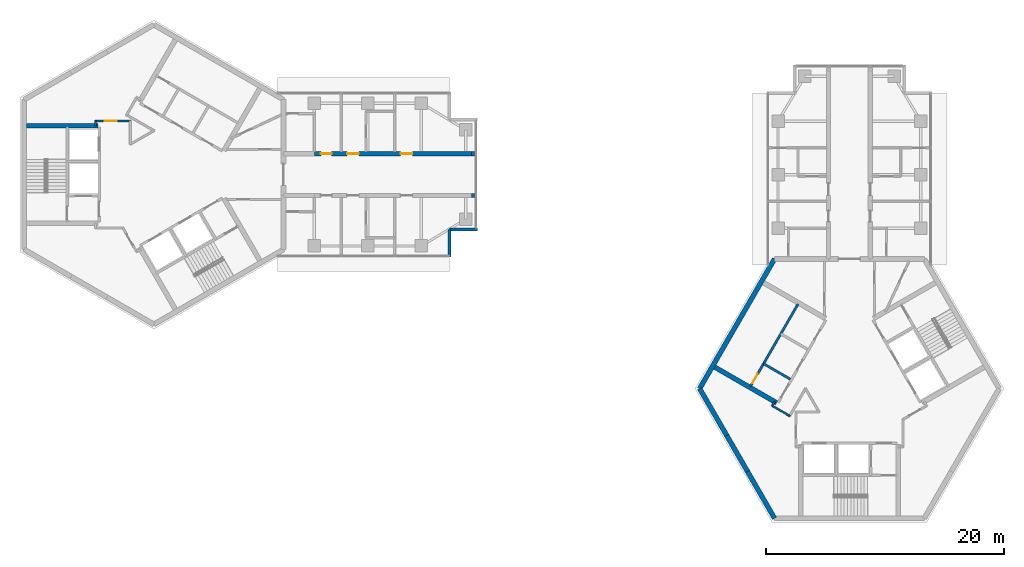
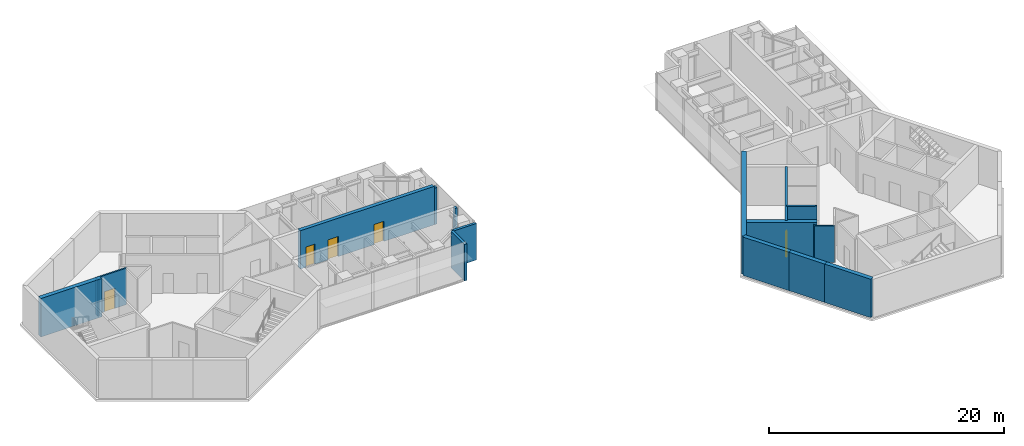
# One storey, part 6 of 11: 17 walls, 5 doors, 5 openings.
"""IFC4 building model written with IfcOpenShell, lengths in metres."""

from ifc_helpers import new_model, si_unit, direction, frame, frame_2d, origin, place, context, subcontext, project, spatial, rectangle, extrude, material, layer, layer_set, type_object, element, fill, save


model = new_model("IFC4")

# Units and contexts
model_context = context("Model", 3, precision=1e-05, world=origin(), true_north=direction((0.0, 1.0)))
body_context = subcontext(model_context, "Body", "Model", "MODEL_VIEW")
ifc_project = project(units=[si_unit("LENGTHUNIT", "METRE"), si_unit("AREAUNIT", "SQUARE_METRE"), si_unit("VOLUMEUNIT", "CUBIC_METRE"), si_unit("PLANEANGLEUNIT", "RADIAN"), si_unit("MASSUNIT", "GRAM", prefix="KILO")], contexts=[model_context])

# Site, building, storey
site_placement = place(None, origin())
site = spatial("IfcSite", under=ifc_project, at=site_placement, CompositionType="ELEMENT")
building_placement = place(site_placement, origin())
building = spatial("IfcBuilding", under=site, at=building_placement, Name="Upepo Twin Towers", CompositionType="ELEMENT")
storey_placement = place(building_placement, frame((0.0, 0.0, 263.5)))
storey = spatial("IfcBuildingStorey", under=building, at=storey_placement, Name="L64", CompositionType="ELEMENT", Elevation=263.5)

# Walls
ifc_material_1 = material(Name="Dense concrete blockwork", Category="masonry")
ifc_layer_1 = layer(ifc_material_1, 0.35009765625)
ifc_layer_set_1 = layer_set([ifc_layer_1], Name="Buttress closer 350, blockwork with fire-stopping to the curtain wall")
wall_type_1 = type_object("IfcWallType", Name="Buttress closer 350, blockwork with fire-stopping to the curtain wall", PredefinedType="PARTITIONING", material=ifc_layer_set_1)
for number, where, z_axis, x_axis, name in (
    (1, (26.699951171875, 1.75, 0.0), (0.0, 0.0, 1.0), (1.0, 0.0, 0.0), "T1 L64 wing A buttress closer L"),
    (2, (26.699951171875, -1.75, 0.0), (0.0, 0.0, 1.0), (1.0, 0.0, 0.0), "T1 L64 wing A buttress closer R"),
):
    element("IfcWall", number, at=place(storey_placement, frame(where, z_axis=z_axis, x_axis=x_axis)), inside=storey, type_object=wall_type_1, Name=name, PredefinedType="PARTITIONING", context=body_context, shape_type="SweptSolid", body=[
        extrude(rectangle(XDim=0.275146484375, YDim=0.35009765625, at=frame_2d((0.1376953125, 0.0))), origin(), (0.0, 0.0, 1.0), 3.800048828125),
    ])

# Wall, openings, doors
ifc_material_2 = material(Name="Concrete C60/75", Category="concrete")
ifc_layer_2 = layer(ifc_material_2, 0.35009765625)
ifc_layer_set_2 = layer_set([ifc_layer_2], Name="Concrete C60/75")
wall_type_2 = type_object("IfcWallType", Name="Buttress wall 350 RC", PredefinedType="SHEAR", material=ifc_layer_set_2)
wall_1_placement = place(storey_placement, frame((13.5, 1.75, 0.0), z_axis=(0.0, 0.0, 1.0), x_axis=(1.0, 0.0, 0.0)))
wall_1 = element("IfcWall", 3, at=wall_1_placement, inside=storey, type_object=wall_type_2, Name="T1 wing A buttress wall L part 2", PredefinedType="SHEAR", context=body_context, shape_type="SweptSolid", body=[
    extrude(rectangle(XDim=13.199951171875, YDim=0.35009765625, at=frame_2d((6.60009765625, 0.0))), origin(), (0.0, 0.0, 1.0), 4.0),
])
opening_1_placement = place(wall_1_placement, frame((0.550048828125, 0.0, 0.0)))
opening_1 = element("IfcOpeningElement", 4, at=opening_1_placement, cuts=wall_1, Name="Opening D11", PredefinedType="OPENING", context=body_context, shape_type="SweptSolid", body=[
    extrude(rectangle(XDim=0.89990234375, YDim=2.10009765625, at=frame_2d((0.449951171875, 1.050048828125))), frame((0.0, 0.18505859375, 0.0), z_axis=(0.0, -1.0, 0.0), x_axis=(1.0, 0.0, 0.0)), (0.0, 0.0, 1.0), 0.3701171875),
])
opening_2_placement = place(wall_1_placement, frame((2.75, 0.0, 0.0)))
opening_2 = element("IfcOpeningElement", 5, at=opening_2_placement, cuts=wall_1, Name="Opening D1", PredefinedType="OPENING", context=body_context, shape_type="SweptSolid", body=[
    extrude(rectangle(XDim=1.0, YDim=2.10009765625, at=frame_2d((0.5, 1.050048828125))), frame((0.0, 0.18505859375, 0.0), z_axis=(0.0, -1.0, 0.0), x_axis=(1.0, 0.0, 0.0)), (0.0, 0.0, 1.0), 0.3701171875),
])
opening_3_placement = place(wall_1_placement, frame((7.25, 0.0, 0.0)))
opening_3 = element("IfcOpeningElement", 6, at=opening_3_placement, cuts=wall_1, Name="Opening D1", PredefinedType="OPENING", context=body_context, shape_type="SweptSolid", body=[
    extrude(rectangle(XDim=1.0, YDim=2.10009765625, at=frame_2d((0.5, 1.050048828125))), frame((0.0, 0.18505859375, 0.0), z_axis=(0.0, -1.0, 0.0), x_axis=(1.0, 0.0, 0.0)), (0.0, 0.0, 1.0), 0.3701171875),
])
ifc_material_3 = material(Name="Timber doorset", Category="wood")
door_type_1 = type_object("IfcDoorType", Name="Room door 1000 FD30", OperationType="SINGLE_SWING_LEFT", PredefinedType="DOOR", material=ifc_material_3)
door_1_placement = place(opening_2_placement, origin())
door_1 = element("IfcDoor", 7, at=door_1_placement, inside=storey, type_object=door_type_1, Name="T1 L64 seminar room door", OperationType="SINGLE_SWING_LEFT", OverallHeight=2.10009765625, OverallWidth=1.0, PredefinedType="DOOR", context=body_context, shape_type="SweptSolid", body=[
    extrude(rectangle(XDim=1.0, YDim=2.10009765625, at=frame_2d((0.5, 1.050048828125))), frame((0.0, 0.02490234375, 0.0), z_axis=(0.0, -1.0, 0.0), x_axis=(1.0, 0.0, 0.0)), (0.0, 0.0, 1.0), 0.050048828125),
])
fill(opening_2, door_1)
door_2_placement = place(opening_3_placement, origin())
door_2 = element("IfcDoor", 8, at=door_2_placement, inside=storey, type_object=door_type_1, Name="T1 L64 staff office door", OperationType="SINGLE_SWING_RIGHT", OverallHeight=2.10009765625, OverallWidth=1.0, PredefinedType="DOOR", context=body_context, shape_type="SweptSolid", body=[
    extrude(rectangle(XDim=1.0, YDim=2.10009765625, at=frame_2d((0.5, 1.050048828125))), frame((0.0, 0.02490234375, 0.0), z_axis=(0.0, -1.0, 0.0), x_axis=(1.0, 0.0, 0.0)), (0.0, 0.0, 1.0), 0.050048828125),
])
fill(opening_3, door_2)
ifc_material_4 = material(Name="Timber doorset", Category="wood")
door_type_2 = type_object("IfcDoorType", Name="Toilet door 900", OperationType="SINGLE_SWING_LEFT", PredefinedType="DOOR", material=ifc_material_4)
door_3_placement = place(opening_1_placement, origin())
door_3 = element("IfcDoor", 9, at=door_3_placement, inside=storey, type_object=door_type_2, Name="T1 L64 accessible wc door", OperationType="SINGLE_SWING_LEFT", OverallHeight=2.10009765625, OverallWidth=0.89990234375, PredefinedType="DOOR", context=body_context, shape_type="SweptSolid", body=[
    extrude(rectangle(XDim=0.89990234375, YDim=2.10009765625, at=frame_2d((0.449951171875, 1.050048828125))), frame((0.0, 0.02490234375, 0.0), z_axis=(0.0, -1.0, 0.0), x_axis=(1.0, 0.0, 0.0)), (0.0, 0.0, 1.0), 0.050048828125),
])
fill(opening_1, door_3)

# Walls
ifc_material_5 = material(Name="Concrete C60/75", Category="concrete")
ifc_layer_3 = layer(ifc_material_5, 0.39990234375)
ifc_layer_set_3 = layer_set([ifc_layer_3], Name="Concrete C60/75")
wall_type_3 = type_object("IfcWallType", Name="Core wall 400 RC", PredefinedType="SHEAR", material=ifc_layer_set_3)
wall_2_placement = place(storey_placement, frame((52.2021484375, -7.091552734375, 0.0), z_axis=(0.0, 0.0, 1.0), x_axis=(-0.500005998175, -0.866021940709, 0.0)))
element("IfcWall", 10, at=wall_2_placement, inside=storey, type_object=wall_type_3, Name="T2 core wall 060", PredefinedType="SHEAR", context=body_context, shape_type="SweptSolid", body=[
    extrude(rectangle(XDim=12.595947265625, YDim=0.39990234375, at=frame_2d((6.2978515625, 0.0))), origin(), (0.0, 0.0, 1.0), 4.0),
])
wall_3_placement = place(storey_placement, frame((45.904052734375, -18.0, 0.0), z_axis=(0.0, 0.0, 1.0), x_axis=(0.500024481964, -0.866011268655, 0.0)))
element("IfcWall", 11, at=wall_3_placement, inside=storey, type_object=wall_type_3, Name="T2 core wall 120 R", PredefinedType="SHEAR", context=body_context, shape_type="SweptSolid", body=[
    extrude(rectangle(XDim=4.548095703125, YDim=0.39990234375, at=frame_2d((2.27392578125, 0.0))), origin(), (0.0, 0.0, 1.0), 4.0),
])
wall_4_placement = place(storey_placement, frame((48.17822265625, -21.938720703125, 0.0), z_axis=(0.0, 0.0, 1.0), x_axis=(0.500010275428, -0.866019471182, 0.0)))
element("IfcWall", 12, at=wall_4_placement, inside=storey, type_object=wall_type_3, Name="T2 core wall 120", PredefinedType="SHEAR", context=body_context, shape_type="SweptSolid", body=[
    extrude(rectangle(XDim=3.5, YDim=0.39990234375, at=frame_2d((1.75, 0.0))), origin(), (0.0, 0.0, 1.0), 4.0),
])
wall_5_placement = place(storey_placement, frame((49.92822265625, -24.9697265625, 0.0), z_axis=(0.0, 0.0, 1.0), x_axis=(0.499984222037, -0.866034513004, 0.0)))
element("IfcWall", 13, at=wall_5_placement, inside=storey, type_object=wall_type_3, Name="T2 core wall 120 L", PredefinedType="SHEAR", context=body_context, shape_type="SweptSolid", body=[
    extrude(rectangle(XDim=4.548095703125, YDim=0.39990234375, at=frame_2d((2.27392578125, 0.0))), origin(), (0.0, 0.0, 1.0), 4.0),
])
ifc_material_6 = material(Name="Blockwork with anodised aluminium cladding", Category="masonry")
ifc_layer_4 = layer(ifc_material_6, 0.25)
ifc_layer_set_4 = layer_set([ifc_layer_4], Name="Notch cladding wall 250, pale metal")
wall_type_4 = type_object("IfcWallType", Name="Notch cladding wall 250, pale metal", PredefinedType="STANDARD", material=ifc_layer_set_4)
for number, where, z_axis, x_axis, name in (
    (14, (24.875, -6.949951171875, 0.0), (0.0, 0.0, 1.0), (0.0, 1.0, 0.0), "T1 L64 wing A notch wall R1"),
    (15, (24.875, -4.625, 0.0), (0.0, 0.0, 1.0), (1.0, 0.0, 0.0), "T1 L64 wing A notch wall R2"),
):
    element("IfcWall", number, at=place(storey_placement, frame(where, z_axis=z_axis, x_axis=x_axis)), inside=storey, type_object=wall_type_4, Name=name, PredefinedType="STANDARD", context=body_context, shape_type="SweptSolid", body=[
        extrude(rectangle(XDim=2.324951171875, YDim=0.25, at=frame_2d((1.16259765625, 0.0))), origin(), (0.0, 0.0, 1.0), 3.800048828125),
    ])
ifc_material_7 = material(Name="Concrete C40/50", Category="concrete")
ifc_layer_5 = layer(ifc_material_7, 0.199951171875)
ifc_layer_set_5 = layer_set([ifc_layer_5], Name="Concrete C40/50")
wall_type_5 = type_object("IfcWallType", Name="Shaft wall 200 RC", PredefinedType="SHEAR", material=ifc_layer_set_5)
wall_6_placement = place(storey_placement, frame((53.52978515625, -17.208740234375, 0.0), z_axis=(0.0, 0.0, 1.0), x_axis=(-0.866062058628, 0.499936506574, 0.0)))
element("IfcWall", 16, at=wall_6_placement, inside=storey, type_object=wall_type_5, Name="T2 core W60 lobby wall", PredefinedType="SHEAR", context=body_context, shape_type="SweptSolid", body=[
    extrude(rectangle(XDim=2.599853515625, YDim=0.199951171875, at=frame_2d((1.2998046875, 0.0))), origin(), (0.0, 0.0, 1.0), 4.0),
])

# Wall, opening, door
wall_7_placement = place(storey_placement, frame((54.177978515625, -10.885986328125, 0.0), z_axis=(0.0, 0.0, 1.0), x_axis=(-0.49999894854, -0.866026010844, 0.0)))
wall_7 = element("IfcWall", 17, at=wall_7_placement, inside=storey, type_object=wall_type_5, Name="T2 core W60 stair wall", PredefinedType="SHEAR", context=body_context, shape_type="SweptSolid", body=[
    extrude(rectangle(XDim=8.0, YDim=0.199951171875, at=frame_2d((4.0, 0.0))), origin(), (0.0, 0.0, 1.0), 4.0),
])
opening_4_placement = place(wall_7_placement, frame((6.800048828125, 0.0, 0.0)))
opening_4 = element("IfcOpeningElement", 18, at=opening_4_placement, cuts=wall_7, Name="Opening D9", PredefinedType="OPENING", context=body_context, shape_type="SweptSolid", body=[
    extrude(rectangle(XDim=0.89990234375, YDim=2.10009765625, at=frame_2d((0.449951171875, 1.050048828125))), frame((0.0, 0.10986328125, 0.0), z_axis=(0.0, -1.0, 0.0), x_axis=(1.0, 0.0, 0.0)), (0.0, 0.0, 1.0), 0.219970703125),
])
ifc_material_8 = material(Name="Timber doorset", Category="wood")
door_type_3 = type_object("IfcDoorType", Name="Riser door 900 FD60", OperationType="SINGLE_SWING_LEFT", PredefinedType="DOOR", material=ifc_material_8)
door_4_placement = place(opening_4_placement, origin())
door_4 = element("IfcDoor", 19, at=door_4_placement, inside=storey, type_object=door_type_3, Name="T2 L64 riser door", OperationType="SINGLE_SWING_RIGHT", OverallHeight=2.10009765625, OverallWidth=0.89990234375, PredefinedType="DOOR", context=body_context, shape_type="SweptSolid", body=[
    extrude(rectangle(XDim=0.89990234375, YDim=2.10009765625, at=frame_2d((0.449951171875, 1.050048828125))), frame((0.0, 0.02490234375, 0.0), z_axis=(0.0, -1.0, 0.0), x_axis=(1.0, 0.0, 0.0)), (0.0, 0.0, 1.0), 0.050048828125),
])
fill(opening_4, door_4)

# Walls
ifc_material_9 = material(Name="Concrete C40/50", Category="concrete")
ifc_layer_6 = layer(ifc_material_9, 0.39990234375)
ifc_layer_set_6 = layer_set([ifc_layer_6], Name="Concrete C40/50")
wall_type_6 = type_object("IfcWallType", Name="Shaft wall 400 RC", PredefinedType="SHEAR", material=ifc_layer_set_6)
for number, where, z_axis, x_axis, name in (
    (20, (-4.699951171875, 4.10009765625, 0.0), (0.0, 0.0, 1.0), (-1.0, 0.0, 0.0), "T1 core W180 side wall S"),
    (21, (52.379638671875, -19.20068359375, 0.0), (0.0, 0.0, 1.0), (-0.866026570101, 0.499997979876, 0.0), "T2 core W60 side wall N"),
):
    element("IfcWall", number, at=place(storey_placement, frame(where, z_axis=z_axis, x_axis=x_axis)), inside=storey, type_object=wall_type_6, Name=name, PredefinedType="SHEAR", context=body_context, shape_type="SweptSolid", body=[
        extrude(rectangle(XDim=6.00830078125, YDim=0.39990234375, at=frame_2d((3.004150390625, 0.0))), origin(), (0.0, 0.0, 1.0), 4.0),
    ])
ifc_material_10 = material(Name="Gypsum board on steel studs", Category="steel")
ifc_layer_7 = layer(ifc_material_10, 0.14990234375)
ifc_layer_set_7 = layer_set([ifc_layer_7], Name="Teaching partition 150 acoustic")
wall_type_7 = type_object("IfcWallType", Name="Teaching partition 150 acoustic", PredefinedType="PARTITIONING", material=ifc_layer_set_7)
wall_8_placement = place(storey_placement, frame((-4.89990234375, 4.090087890625, 0.0), z_axis=(0.0, 0.0, 1.0), x_axis=(0.0, 1.0, 0.0)))
element("IfcWall", 22, at=wall_8_placement, inside=storey, type_object=wall_type_7, Name="T1 core room partition 4", PredefinedType="PARTITIONING", context=body_context, shape_type="SweptSolid", body=[
    extrude(rectangle(XDim=0.429931640625, YDim=0.14990234375, at=frame_2d((0.21484375, 0.0))), origin(), (0.0, 0.0, 1.0), 3.800048828125),
])

# Wall, opening, door
wall_9_placement = place(storey_placement, frame((-4.919921875, 4.5, 0.0), z_axis=(0.0, 0.0, 1.0), x_axis=(1.0, 0.0, 0.0)))
wall_9 = element("IfcWall", 23, at=wall_9_placement, inside=storey, type_object=wall_type_7, Name="T1 core room partition 5", PredefinedType="PARTITIONING", context=body_context, shape_type="SweptSolid", body=[
    extrude(rectangle(XDim=2.96484375, YDim=0.14990234375, at=frame_2d((1.482421875, 0.0))), origin(), (0.0, 0.0, 1.0), 3.800048828125),
])
opening_5_placement = place(wall_9_placement, frame((0.800048828125, 0.0, 0.0)))
opening_5 = element("IfcOpeningElement", 24, at=opening_5_placement, cuts=wall_9, Name="Opening D1", PredefinedType="OPENING", context=body_context, shape_type="SweptSolid", body=[
    extrude(rectangle(XDim=1.0, YDim=2.10009765625, at=frame_2d((0.5, 1.050048828125))), frame((0.0, 0.0849609375, 0.0), z_axis=(0.0, -1.0, 0.0), x_axis=(1.0, 0.0, 0.0)), (0.0, 0.0, 1.0), 0.169921875),
])
door_5_placement = place(opening_5_placement, origin())
door_5 = element("IfcDoor", 25, at=door_5_placement, inside=storey, type_object=door_type_1, Name="T1 L64 core room door K5", OperationType="SINGLE_SWING_LEFT", OverallHeight=2.10009765625, OverallWidth=1.0, PredefinedType="DOOR", context=body_context, shape_type="SweptSolid", body=[
    extrude(rectangle(XDim=1.0, YDim=2.10009765625, at=frame_2d((0.5, 1.050048828125))), frame((0.0, 0.02490234375, 0.0), z_axis=(0.0, -1.0, 0.0), x_axis=(1.0, 0.0, 0.0)), (0.0, 0.0, 1.0), 0.050048828125),
])
fill(opening_5, door_5)

# Walls
wall_10_placement = place(storey_placement, frame((53.49609375, -20.30712890625, 0.0), z_axis=(0.0, 0.0, 1.0), x_axis=(-0.865989304205, 0.500062521093, 0.0)))
element("IfcWall", 26, at=wall_10_placement, inside=storey, type_object=wall_type_7, Name="T2 core room partition 7", PredefinedType="PARTITIONING", context=body_context, shape_type="SweptSolid", body=[
    extrude(rectangle(XDim=1.739990234375, YDim=0.14990234375, at=frame_2d((0.8701171875, 0.0))), origin(), (0.0, 0.0, 1.0), 3.800048828125),
])
wall_11_placement = place(storey_placement, frame((51.99658203125, -19.46435546875, 0.0), z_axis=(0.0, 0.0, 1.0), x_axis=(0.499804398801, 0.866138304741, 0.0)))
element("IfcWall", 27, at=wall_11_placement, inside=storey, type_object=wall_type_7, Name="T2 core room partition 8", PredefinedType="PARTITIONING", context=body_context, shape_type="SweptSolid", body=[
    extrude(rectangle(XDim=0.429931640625, YDim=0.14990234375, at=frame_2d((0.21484375, 0.0))), origin(), (0.0, 0.0, 1.0), 3.800048828125),
])

save(model, "model.ifc")
